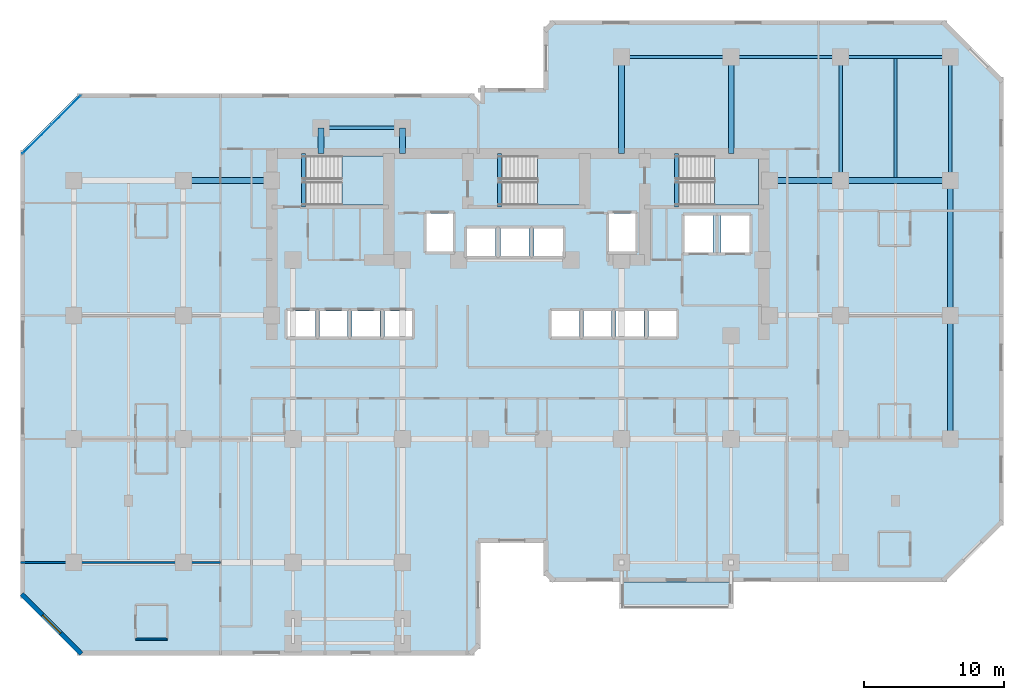
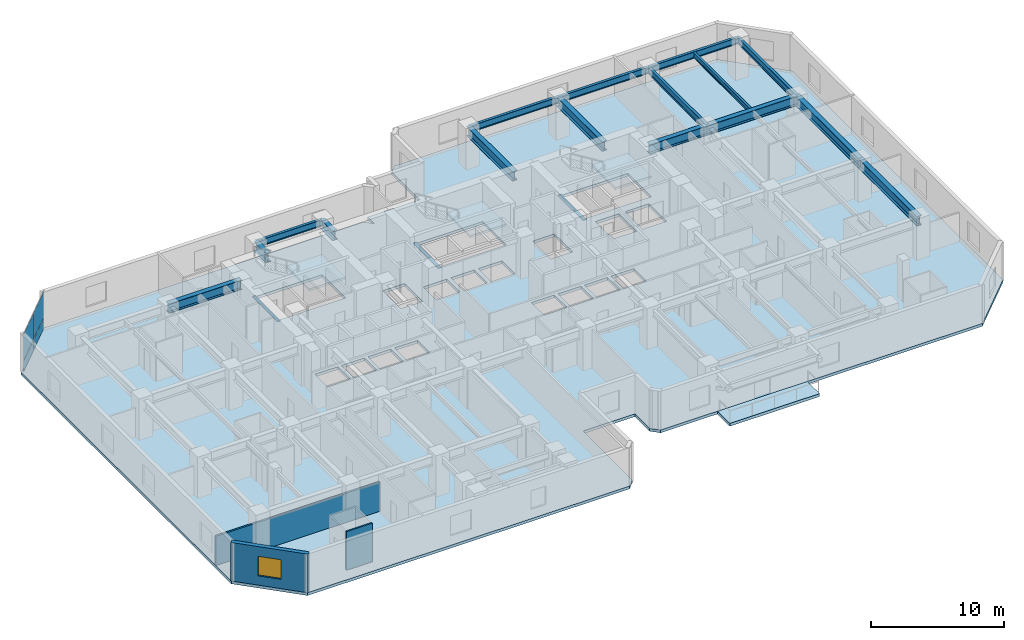
# One storey, part 4 of 12: 19 beams, 5 slabs, 4 plates, 3 walls, 1 window, 1 opening, 4 elements without a shape of their own.
"""IFC4 building model written with IfcOpenShell, lengths in metres."""

import ifcopenshell
import ifcopenshell.guid

model = None  # the IFC model being written
_history = None  # IfcOwnerHistory: only IFC2X3 demands one
_inside = {}  # id of a spatial element -> (the spatial element, [elements in it])
_under = {}  # id of a project, library or spatial element -> (it, [spatial elements below it])
_declared = {}  # id of a project -> (the project, [libraries it declares])
_typed = {}  # id of a type object -> (the type object, [elements of that type])
_made_of = {}  # id of a material, layer set ... -> (it, [elements and type objects made of it])


def new_model(schema):
    """Start an empty IFC model of exactly this schema.

    Asked for "IFC4X3", IfcOpenShell would pick the latest addendum, in which some entities
    have other attributes; the version numbers below select the first issue.
    IFC2X3 requires an IfcOwnerHistory on every rooted entity: one is made here for all.
    """
    global model, _history
    if schema == "IFC4X3":
        model = ifcopenshell.file(schema_version=(4, 3, 0, 0))
    else:
        model = ifcopenshell.file(schema=schema)
    _inside.clear()
    _under.clear()
    _declared.clear()
    _typed.clear()
    _made_of.clear()
    _history = None
    if model.schema == "IFC2X3":
        org = make("IfcOrganization", Name="unknown")
        user = make(
            "IfcPersonAndOrganization",
            ThePerson=make("IfcPerson", FamilyName="unknown"),
            TheOrganization=org,
        )
        app = make(
            "IfcApplication",
            ApplicationDeveloper=org,
            Version="unknown",
            ApplicationFullName="unknown",
            ApplicationIdentifier="unknown",
        )
        _history = make(
            "IfcOwnerHistory",
            OwningUser=user,
            OwningApplication=app,
            ChangeAction="ADDED",
            CreationDate=0,
        )
    return model


def make(cls, **values):
    """One entity of the class cls with the attributes given. An attribute that is None is left unset."""
    return model.create_entity(
        cls, **{name: value for name, value in values.items() if value is not None}
    )


def rooted(cls, **values):
    """An entity with a GlobalId (a new one), such as an element, a storey or a relation."""
    return make(cls, GlobalId=ifcopenshell.guid.new(), OwnerHistory=_history, **values)


def si_unit(unit_type, name, prefix=None):
    """IfcSIUnit, for example si_unit("LENGTHUNIT", "METRE", prefix="MILLI")."""
    return make("IfcSIUnit", UnitType=unit_type, Prefix=prefix, Name=name)


def assignment(units):
    """IfcUnitAssignment: the units of a project."""
    return None if units is None else make("IfcUnitAssignment", Units=units)


def point(xyz):
    """IfcCartesianPoint."""
    return None if xyz is None else make("IfcCartesianPoint", Coordinates=xyz)


def direction(xyz):
    """IfcDirection."""
    return None if xyz is None else make("IfcDirection", DirectionRatios=xyz)


def frame(location, z_axis=None, x_axis=None):
    """IfcAxis2Placement3D, a coordinate frame: its origin and axes. An axis left out is left unset."""
    return make(
        "IfcAxis2Placement3D",
        Location=point(location),
        Axis=direction(z_axis),
        RefDirection=direction(x_axis),
    )


def frame_2d(location, x_axis=None):
    """IfcAxis2Placement2D, a coordinate frame in the plane: its origin and x axis."""
    return make(
        "IfcAxis2Placement2D", Location=point(location), RefDirection=direction(x_axis)
    )


def origin():
    """The frame at (0, 0, 0) with its axes left unset."""
    return frame((0.0, 0.0, 0.0))


def origin_2d():
    """The frame at (0, 0) in the plane with its x axis left unset."""
    return frame_2d((0.0, 0.0))


def place(relative_to, where):
    """IfcLocalPlacement: puts the frame where relative to a parent placement (None: the world)."""
    return make(
        "IfcLocalPlacement", PlacementRelTo=relative_to, RelativePlacement=where
    )


def context(
    kind, dimensions, precision=None, world=None, true_north=None, identifier=None
):
    """IfcGeometricRepresentationContext, for example the 3D "Model" context."""
    return make(
        "IfcGeometricRepresentationContext",
        ContextIdentifier=identifier,
        ContextType=kind,
        CoordinateSpaceDimension=dimensions,
        Precision=precision,
        WorldCoordinateSystem=world,
        TrueNorth=true_north,
    )


def subcontext(parent, identifier, kind, view, scale=None):
    """IfcGeometricRepresentationSubContext, for example "Body" below "Model"."""
    return make(
        "IfcGeometricRepresentationSubContext",
        ContextIdentifier=identifier,
        ContextType=kind,
        ParentContext=parent,
        TargetScale=scale,
        TargetView=view,
    )


def project(units=None, contexts=None):
    """IfcProject with its units and contexts."""
    return rooted(
        "IfcProject",
        Name="project",
        RepresentationContexts=contexts,
        UnitsInContext=assignment(units),
    )


def spatial(cls, under=None, at=None, **own):
    """A site, building, storey or space (cls), placed at a placement, below another one or the project."""
    s = rooted(cls, ObjectPlacement=at, **own)
    if under is not None:
        _under.setdefault(under.id(), (under, []))[1].append(s)
    return s


def polyline(points):
    """IfcPolyline through the points."""
    return make("IfcPolyline", Points=[point(p) for p in points])


def profile(cls, at=None, kind="AREA", **sizes):
    """A parametric profile (cls). Its sizes go by their IFC names, for example OverallWidth=200.0."""
    return make(cls, ProfileType=kind, Position=at, **sizes)


def rectangle(**sizes):
    """IfcRectangleProfileDef."""
    return profile("IfcRectangleProfileDef", **sizes)


def i_section(**sizes):
    """IfcIShapeProfileDef."""
    return profile("IfcIShapeProfileDef", **sizes)


def outline(outer, holes=None, kind="AREA"):
    """IfcArbitraryClosedProfileDef: a profile drawn as a closed curve; with holes, ...WithVoids."""
    if holes is None:
        return make("IfcArbitraryClosedProfileDef", ProfileType=kind, OuterCurve=outer)
    return make(
        "IfcArbitraryProfileDefWithVoids",
        ProfileType=kind,
        OuterCurve=outer,
        InnerCurves=holes,
    )


def extrude(swept, where, along, depth):
    """IfcExtrudedAreaSolid: the profile swept, set in the frame where, extruded along a direction by depth."""
    return make(
        "IfcExtrudedAreaSolid",
        SweptArea=swept,
        Position=where,
        ExtrudedDirection=direction(along),
        Depth=depth,
    )


def shape(context_of_items, identifier, shape_type, items):
    """IfcShapeRepresentation: the items that make up one representation, for example the "Body"."""
    return make(
        "IfcShapeRepresentation",
        ContextOfItems=context_of_items,
        RepresentationIdentifier=identifier,
        RepresentationType=shape_type,
        Items=items,
    )


def material(Name=None, Category=None):
    """IfcMaterial."""
    return make("IfcMaterial", Name=Name, Category=Category)


def layer(
    of_material, thickness, ventilated=None, Name=None, Category=None, Priority=None
):
    """IfcMaterialLayer: one layer of a wall or slab, of a material (None: an air gap)."""
    return make(
        "IfcMaterialLayer",
        Material=of_material,
        LayerThickness=thickness,
        IsVentilated=ventilated,
        Name=Name,
        Category=Category,
        Priority=Priority,
    )


def layer_set(layers, Name=None):
    """IfcMaterialLayerSet."""
    return make("IfcMaterialLayerSet", MaterialLayers=layers, LayerSetName=Name)


def material_profile(
    of_material, cross_section, Name=None, Category=None, Priority=None
):
    """IfcMaterialProfile: a cross section and its material."""
    return make(
        "IfcMaterialProfile",
        Name=Name,
        Material=of_material,
        Profile=cross_section,
        Priority=Priority,
        Category=Category,
    )


def profile_set(profiles, Name=None, composite=None):
    """IfcMaterialProfileSet."""
    return make(
        "IfcMaterialProfileSet",
        Name=Name,
        MaterialProfiles=profiles,
        CompositeProfile=composite,
    )


def made_of(thing, what):
    """Note that an element or type object is made of a material, layer set ...; save() writes the relation."""
    if what is not None:
        _made_of.setdefault(what.id(), (what, []))[1].append(thing)
    return thing


def type_object(cls, material=None, **own):
    """A type object (cls), such as IfcWallType, which elements share."""
    return made_of(rooted(cls, **own), material)


def element(
    cls,
    number,
    at=None,
    inside=None,
    cuts=None,
    type_object=None,
    material=None,
    context=None,
    identifier="Body",
    shape_type=None,
    held_by="IfcProductDefinitionShape",
    body=None,
    shapes=None,
    **own,
):
    """One element of the class cls, such as IfcWall. Its Tag is "e" and its number.

    at: its placement. inside: the storey or other place that contains it. cuts: it is an
    opening in that element (IfcRelVoidsElement). A single representation is given by context,
    identifier, shape_type and body (its items); several are given by shapes. held_by: the class
    of the entity that holds the representations. save() writes the other relations.
    """
    e = rooted(cls, Tag="e%d" % number, ObjectPlacement=at, **own)
    if body is not None:
        shapes = [shape(context, identifier, shape_type, body)]
    if shapes is not None:
        e.Representation = make(held_by, Representations=shapes)
    if inside is not None:
        _inside.setdefault(inside.id(), (inside, []))[1].append(e)
    if cuts is not None:
        rooted(
            "IfcRelVoidsElement", RelatingBuildingElement=cuts, RelatedOpeningElement=e
        )
    if type_object is not None:
        _typed.setdefault(type_object.id(), (type_object, []))[1].append(e)
    return made_of(e, material)


def fill(opening, filler):
    """IfcRelFillsElement: the door or window that sits in an opening."""
    return rooted(
        "IfcRelFillsElement",
        RelatingOpeningElement=opening,
        RelatedBuildingElement=filler,
    )


def aggregate(whole, parts):
    """IfcRelAggregates: a whole, such as a stair, and the parts it consists of."""
    return rooted("IfcRelAggregates", RelatingObject=whole, RelatedObjects=parts)


def save(model, path):
    """Write the relations noted so far, then the file.

    IfcRelAggregates (storeys below a building ...), IfcRelContainedInSpatialStructure (elements
    in a storey), IfcRelDefinesByType, IfcRelAssociatesMaterial and IfcRelDeclares: one each for
    every whole, place, type object, material and project.
    """
    for whole, parts in _under.values():
        aggregate(whole, parts)
    for where, things in _inside.values():
        rooted(
            "IfcRelContainedInSpatialStructure",
            RelatedElements=things,
            RelatingStructure=where,
        )
    for kind, things in _typed.values():
        rooted("IfcRelDefinesByType", RelatedObjects=things, RelatingType=kind)
    for what, things in _made_of.values():
        rooted("IfcRelAssociatesMaterial", RelatedObjects=things, RelatingMaterial=what)
    for by, libraries in _declared.values():
        rooted("IfcRelDeclares", RelatingContext=by, RelatedDefinitions=libraries)
    model.write(path)


model = new_model("IFC4")

# Units and contexts
model_context = context("Model", 3, precision=1e-05, world=origin(), true_north=direction((0.0, 1.0)))
body_context = subcontext(model_context, "Body", "Model", "MODEL_VIEW")
ifc_project = project(units=[si_unit("LENGTHUNIT", "METRE"), si_unit("AREAUNIT", "SQUARE_METRE"), si_unit("VOLUMEUNIT", "CUBIC_METRE"), si_unit("PLANEANGLEUNIT", "RADIAN"), si_unit("MASSUNIT", "GRAM", prefix="KILO")], contexts=[model_context])

# Site, building, storey
site_placement = place(None, origin())
site = spatial("IfcSite", under=ifc_project, at=site_placement, CompositionType="ELEMENT")
building_placement = place(site_placement, origin())
building = spatial("IfcBuilding", under=site, at=building_placement, Name="Kestravale Grand Hotel", CompositionType="ELEMENT")
storey_placement = place(building_placement, frame((0.0, 0.0, 122.199951171875)))
storey = spatial("IfcBuildingStorey", under=building, at=storey_placement, Name="L30", CompositionType="ELEMENT", Elevation=122.199951171875)

# Beams
ifc_material_1 = material(Name="Steel ASTM A992 Grade 50", Category="steel")
ifc_material_profile_1 = material_profile(ifc_material_1, i_section(OverallWidth=0.19091796875, OverallDepth=0.45703125, WebThickness=0.009033203125, FlangeThickness=0.014404296875, FilletRadius=0.015380859375, at=origin_2d()))
ifc_profile_set_1 = profile_set([ifc_material_profile_1], Name="Steel ASTM A992 Grade 50")
beam_type_1 = type_object("IfcBeamType", Name="B-FLR-JST18", PredefinedType="JOIST", material=ifc_profile_set_1)
beam_1_placement = place(storey_placement, frame((66.300048828125, 38.6005859375, 3.3115234375), z_axis=(0.0, 1.0, 0.0), x_axis=(-1.0, 0.0, 0.0)))
element("IfcBeam", 1, at=beam_1_placement, inside=storey, type_object=beam_type_1, Name="L30 floor joist 10-11/F-G #1", PredefinedType="JOIST", context=body_context, shape_type="SweptSolid", body=[
    extrude(i_section(OverallWidth=0.19091796875, OverallDepth=0.45703125, WebThickness=0.009033203125, FlangeThickness=0.014404296875, FilletRadius=0.015380859375, at=origin_2d()), origin(), (0.0, 0.0, 1.0), 8.48486328125),
])
ifc_material_2 = material(Name="Concrete f'c 45 MPa", Category="concrete")
ifc_material_profile_2 = material_profile(ifc_material_2, rectangle(XDim=0.300048828125, YDim=0.39990234375, at=origin_2d()))
ifc_profile_set_2 = profile_set([ifc_material_profile_2], Name="Concrete f'c 45 MPa")
beam_type_2 = type_object("IfcBeamType", Name="B-FLR-LNT400", PredefinedType="LINTEL", material=ifc_profile_set_2)
for number, where, z_axis, x_axis, name in (
    (2, (24.159912109375, 36.52001953125, -0.199951171875), (0.0, 1.0, 0.0), (-1.0, 0.0, 0.0), "L30 ST1 flight bottom header beam"),
    (3, (38.110107421875, 36.52001953125, -0.199951171875), (0.0, 1.0, 0.0), (-1.0, 0.0, 0.0), "L30 ST2 flight bottom header beam"),
    (4, (50.7099609375, 36.52001953125, -0.199951171875), (0.0, 1.0, 0.0), (-1.0, 0.0, 0.0), "L30 ST3 flight bottom header beam"),
):
    element("IfcBeam", number, at=place(storey_placement, frame(where, z_axis=z_axis, x_axis=x_axis)), inside=storey, type_object=beam_type_2, Name=name, PredefinedType="LINTEL", context=body_context, shape_type="SweptSolid", body=[
        extrude(rectangle(XDim=0.300048828125, YDim=0.39990234375, at=origin_2d()), origin(), (0.0, 0.0, 1.0), 3.800048828125),
    ])
ifc_material_3 = material(Name="Steel ASTM A992 Grade 50", Category="steel")
ifc_material_profile_3 = material_profile(ifc_material_3, i_section(OverallWidth=0.22900390625, OverallDepth=0.612060546875, WebThickness=0.011962890625, FlangeThickness=0.01953125, FilletRadius=0.019287109375, at=origin_2d()))
ifc_profile_set_3 = profile_set([ifc_material_profile_3], Name="Steel ASTM A992 Grade 50")
beam_type_3 = type_object("IfcBeamType", Name="B-FLR-W24B", PredefinedType="SPANDREL", material=ifc_profile_set_3)
beam_2_placement = place(storey_placement, frame((46.800048828125, 47.199951171875, 3.234130859375), z_axis=(1.0, 0.0, 0.0), x_axis=(0.0, 1.0, 0.0)))
element("IfcBeam", 5, at=beam_2_placement, inside=storey, type_object=beam_type_3, Name="L30 spandrel G:8-9", PredefinedType="SPANDREL", context=body_context, shape_type="SweptSolid", body=[
    extrude(i_section(OverallWidth=0.22900390625, OverallDepth=0.612060546875, WebThickness=0.011962890625, FlangeThickness=0.01953125, FilletRadius=0.019287109375, at=origin_2d()), origin(), (0.0, 0.0, 1.0), 7.800048828125),
])
beam_3_placement = place(storey_placement, frame((54.60009765625, 47.199951171875, 3.234130859375), z_axis=(1.0, 0.0, 0.0), x_axis=(0.0, 1.0, 0.0)))
element("IfcBeam", 6, at=beam_3_placement, inside=storey, type_object=beam_type_3, Name="L30 spandrel G:9-10", PredefinedType="SPANDREL", context=body_context, shape_type="SweptSolid", body=[
    extrude(i_section(OverallWidth=0.22900390625, OverallDepth=0.612060546875, WebThickness=0.011962890625, FlangeThickness=0.01953125, FilletRadius=0.019287109375, at=origin_2d()), origin(), (0.0, 0.0, 1.0), 7.7998046875),
])
beam_4_placement = place(storey_placement, frame((62.39990234375, 47.199951171875, 3.234130859375), z_axis=(1.0, 0.0, 0.0), x_axis=(0.0, 1.0, 0.0)))
element("IfcBeam", 7, at=beam_4_placement, inside=storey, type_object=beam_type_3, Name="L30 spandrel G:10-11", PredefinedType="SPANDREL", context=body_context, shape_type="SweptSolid", body=[
    extrude(i_section(OverallWidth=0.22900390625, OverallDepth=0.612060546875, WebThickness=0.011962890625, FlangeThickness=0.01953125, FilletRadius=0.019287109375, at=origin_2d()), origin(), (0.0, 0.0, 1.0), 7.800048828125),
])
beam_5_placement = place(storey_placement, frame((25.39990234375, 42.14990234375, 3.234130859375), z_axis=(1.0, 0.0, 0.0), x_axis=(0.0, 1.0, 0.0)))
element("IfcBeam", 8, at=beam_5_placement, inside=storey, type_object=beam_type_3, Name="L30 perimeter tie spandrel FN:4-5", PredefinedType="SPANDREL", context=body_context, shape_type="SweptSolid", body=[
    extrude(i_section(OverallWidth=0.22900390625, OverallDepth=0.612060546875, WebThickness=0.011962890625, FlangeThickness=0.01953125, FilletRadius=0.019287109375, at=origin_2d()), origin(), (0.0, 0.0, 1.0), 5.800048828125),
])
for number, where, z_axis, x_axis, name in (
    (9, (62.39990234375, 38.39990234375, 3.234130859375), (0.0, 1.0, 0.0), (-1.0, 0.0, 0.0), "L30 spandrel 10:F-G"),
    (10, (70.199951171875, 38.39990234375, 3.234130859375), (0.0, 1.0, 0.0), (-1.0, 0.0, 0.0), "L30 spandrel 11:F-G"),
):
    element("IfcBeam", number, at=place(storey_placement, frame(where, z_axis=z_axis, x_axis=x_axis)), inside=storey, type_object=beam_type_3, Name=name, PredefinedType="SPANDREL", context=body_context, shape_type="SweptSolid", body=[
        extrude(i_section(OverallWidth=0.22900390625, OverallDepth=0.612060546875, WebThickness=0.011962890625, FlangeThickness=0.01953125, FilletRadius=0.019287109375, at=origin_2d()), origin(), (0.0, 0.0, 1.0), 8.800048828125),
    ])
ifc_material_4 = material(Name="Steel ASTM A992 Grade 50", Category="steel")
ifc_material_profile_4 = material_profile(ifc_material_4, i_section(OverallWidth=0.40087890625, OverallDepth=0.861083984375, WebThickness=0.019775390625, FlangeThickness=0.032470703125, FilletRadius=0.0234375, at=origin_2d()))
ifc_profile_set_4 = profile_set([ifc_material_profile_4], Name="Steel ASTM A992 Grade 50")
beam_type_4 = type_object("IfcBeamType", Name="B-GRD-W33", PredefinedType="BEAM", material=ifc_profile_set_4)
beam_6_placement = place(storey_placement, frame((15.60009765625, 38.39990234375, 3.109619140625), z_axis=(1.0, 0.0, 0.0), x_axis=(0.0, 1.0, 0.0)))
element("IfcBeam", 11, at=beam_6_placement, inside=storey, type_object=beam_type_4, Name="L30 girder F:3-CW", PredefinedType="BEAM", context=body_context, shape_type="SweptSolid", body=[
    extrude(i_section(OverallWidth=0.40087890625, OverallDepth=0.861083984375, WebThickness=0.019775390625, FlangeThickness=0.032470703125, FilletRadius=0.0234375, at=origin_2d()), origin(), (0.0, 0.0, 1.0), 6.2998046875),
])
beam_7_placement = place(storey_placement, frame((57.35009765625, 38.39990234375, 3.109619140625), z_axis=(1.0, 0.0, 0.0), x_axis=(0.0, 1.0, 0.0)))
element("IfcBeam", 12, at=beam_7_placement, inside=storey, type_object=beam_type_4, Name="L30 girder F:CE-10", PredefinedType="BEAM", context=body_context, shape_type="SweptSolid", body=[
    extrude(i_section(OverallWidth=0.40087890625, OverallDepth=0.861083984375, WebThickness=0.019775390625, FlangeThickness=0.032470703125, FilletRadius=0.0234375, at=origin_2d()), origin(), (0.0, 0.0, 1.0), 5.0498046875),
])
beam_8_placement = place(storey_placement, frame((62.39990234375, 38.39990234375, 3.109619140625), z_axis=(1.0, 0.0, 0.0), x_axis=(0.0, 1.0, 0.0)))
element("IfcBeam", 13, at=beam_8_placement, inside=storey, type_object=beam_type_4, Name="L30 girder F:10-11", PredefinedType="BEAM", context=body_context, shape_type="SweptSolid", body=[
    extrude(i_section(OverallWidth=0.40087890625, OverallDepth=0.861083984375, WebThickness=0.019775390625, FlangeThickness=0.032470703125, FilletRadius=0.0234375, at=origin_2d()), origin(), (0.0, 0.0, 1.0), 7.800048828125),
])
beam_9_placement = place(storey_placement, frame((70.199951171875, 20.0, 3.109619140625), z_axis=(0.0, 1.0, 0.0), x_axis=(-1.0, 0.0, 0.0)))
element("IfcBeam", 14, at=beam_9_placement, inside=storey, type_object=beam_type_4, Name="L30 girder 11:D-E", PredefinedType="BEAM", context=body_context, shape_type="SweptSolid", body=[
    extrude(i_section(OverallWidth=0.40087890625, OverallDepth=0.861083984375, WebThickness=0.019775390625, FlangeThickness=0.032470703125, FilletRadius=0.0234375, at=origin_2d()), origin(), (0.0, 0.0, 1.0), 8.800048828125),
])
beam_10_placement = place(storey_placement, frame((70.199951171875, 28.800048828125, 3.109619140625), z_axis=(0.0, 1.0, 0.0), x_axis=(-1.0, 0.0, 0.0)))
element("IfcBeam", 15, at=beam_10_placement, inside=storey, type_object=beam_type_4, Name="L30 girder 11:E-F", PredefinedType="BEAM", context=body_context, shape_type="SweptSolid", body=[
    extrude(i_section(OverallWidth=0.40087890625, OverallDepth=0.861083984375, WebThickness=0.019775390625, FlangeThickness=0.032470703125, FilletRadius=0.0234375, at=origin_2d()), origin(), (0.0, 0.0, 1.0), 9.599853515625),
])
for number, where, z_axis, x_axis, name in (
    (16, (25.39990234375, 40.320068359375, 3.109619140625), (0.0, 1.0, 0.0), (-1.0, 0.0, 0.0), "L30 north wing tie girder 4:CN-FN"),
    (17, (31.199951171875, 40.320068359375, 3.109619140625), (0.0, 1.0, 0.0), (-1.0, 0.0, 0.0), "L30 north wing tie girder 5:CN-FN"),
):
    element("IfcBeam", number, at=place(storey_placement, frame(where, z_axis=z_axis, x_axis=x_axis)), inside=storey, type_object=beam_type_4, Name=name, PredefinedType="BEAM", context=body_context, shape_type="SweptSolid", body=[
        extrude(i_section(OverallWidth=0.40087890625, OverallDepth=0.861083984375, WebThickness=0.019775390625, FlangeThickness=0.032470703125, FilletRadius=0.0234375, at=origin_2d()), origin(), (0.0, 0.0, 1.0), 1.829833984375),
    ])
for number, where, z_axis, x_axis, name in (
    (18, (46.800048828125, 40.320068359375, 3.109619140625), (0.0, 1.0, 0.0), (-1.0, 0.0, 0.0), "L30 north wing tie girder 8:CN-G"),
    (19, (54.60009765625, 40.320068359375, 3.109619140625), (0.0, 1.0, 0.0), (-1.0, 0.0, 0.0), "L30 north wing tie girder 9:CN-G"),
):
    element("IfcBeam", number, at=place(storey_placement, frame(where, z_axis=z_axis, x_axis=x_axis)), inside=storey, type_object=beam_type_4, Name=name, PredefinedType="BEAM", context=body_context, shape_type="SweptSolid", body=[
        extrude(i_section(OverallWidth=0.40087890625, OverallDepth=0.861083984375, WebThickness=0.019775390625, FlangeThickness=0.032470703125, FilletRadius=0.0234375, at=origin_2d()), origin(), (0.0, 0.0, 1.0), 6.8798828125),
    ])

# Curtain wall, plates
ifc_material_5 = material(Name="Thermally broken champagne-bronze aluminium and low-E glazing", Category="aluminium")
ifc_layer_1 = layer(ifc_material_5, 0.199951171875)
ifc_layer_set_1 = layer_set([ifc_layer_1], Name="CW-Z2")
curtain_wall_type = type_object("IfcCurtainWallType", Name="CW-Z2", PredefinedType="NOTDEFINED", material=ifc_layer_set_1)
curtain_wall_placement = place(storey_placement, origin())
curtain_wall = element("IfcCurtainWall", 20, at=curtain_wall_placement, inside=storey, type_object=curtain_wall_type, Name="L30 unitised curtain wall 18", PredefinedType="NOTDEFINED")
ifc_material_6 = material(Name="Insulated clear low-E double glazing IGU", Category="glass")
ifc_layer_2 = layer(ifc_material_6, 0.031982421875)
ifc_layer_set_2 = layer_set([ifc_layer_2], Name="CW-PNL-32")
plate_type = type_object("IfcPlateType", Name="CW-PNL-32", PredefinedType="CURTAIN_PANEL", material=ifc_layer_set_2)
plate_1_placement = place(storey_placement, frame((7.26416015625, 43.423583984375, 0.06494140625), z_axis=(0.0, 0.0, 1.0), x_axis=(-0.707106781187, -0.707106781187, 0.0)))
plate_1 = element("IfcPlate", 21, at=plate_1_placement, type_object=plate_type, Name="CW-Z2 panel 1.1", PredefinedType="CURTAIN_PANEL", context=body_context, shape_type="SweptSolid", body=[
    extrude(rectangle(XDim=2.87744140625, YDim=0.031982421875, at=origin_2d()), origin(), (0.0, 0.0, 1.0), 0.952392578125),
])
plate_2_placement = place(storey_placement, frame((7.26416015625, 43.423583984375, 1.08251953125), z_axis=(0.0, 0.0, 1.0), x_axis=(-0.707106781187, -0.707106781187, 0.0)))
plate_2 = element("IfcPlate", 22, at=plate_2_placement, type_object=plate_type, Name="CW-Z2 panel 1.2", PredefinedType="CURTAIN_PANEL", context=body_context, shape_type="SweptSolid", body=[
    extrude(rectangle(XDim=2.87744140625, YDim=0.031982421875, at=origin_2d()), origin(), (0.0, 0.0, 1.0), 2.392578125),
])
plate_3_placement = place(storey_placement, frame((5.17626953125, 41.3359375, 0.06494140625), z_axis=(0.0, 0.0, 1.0), x_axis=(-0.707106781187, -0.707106781187, 0.0)))
plate_3 = element("IfcPlate", 23, at=plate_3_placement, type_object=plate_type, Name="CW-Z2 panel 2.1", PredefinedType="CURTAIN_PANEL", context=body_context, shape_type="SweptSolid", body=[
    extrude(rectangle(XDim=2.87744140625, YDim=0.031982421875, at=origin_2d()), origin(), (0.0, 0.0, 1.0), 0.952392578125),
])
plate_4_placement = place(storey_placement, frame((5.17626953125, 41.3359375, 1.08251953125), z_axis=(0.0, 0.0, 1.0), x_axis=(-0.707106781187, -0.707106781187, 0.0)))
plate_4 = element("IfcPlate", 24, at=plate_4_placement, type_object=plate_type, Name="CW-Z2 panel 2.2", PredefinedType="CURTAIN_PANEL", context=body_context, shape_type="SweptSolid", body=[
    extrude(rectangle(XDim=2.87744140625, YDim=0.031982421875, at=origin_2d()), origin(), (0.0, 0.0, 1.0), 2.392578125),
])
aggregate(curtain_wall, [plate_1, plate_2, plate_3, plate_4])

# Slab
ifc_material_7 = material(Name="Concrete f'c 45 MPa", Category="concrete")
ifc_layer_3 = layer(ifc_material_7, 0.27001953125)
ifc_layer_set_3 = layer_set([ifc_layer_3], Name="ES-TERR-270")
slab_type_1 = type_object("IfcSlabType", Name="ES-TERR-270", PredefinedType="FLOOR", material=ifc_layer_set_3)
slab_1_placement = place(storey_placement, frame((0.0, 0.0, -0.27001953125)))
element("IfcSlab", 25, at=slab_1_placement, inside=storey, type_object=slab_type_1, Name="L30 spiralling planted garden terrace", PredefinedType="FLOOR", context=body_context, shape_type="SweptSolid", body=[
    extrude(outline(polyline([(46.800048828125, 7.949951171875), (54.60009765625, 7.949951171875), (54.60009765625, 9.800048828125), (46.800048828125, 9.800048828125), (46.800048828125, 7.949951171875)])), origin(), (0.0, 0.0, 1.0), 0.27001953125),
])

# Stair, slab
ifc_material_8 = material(Name="Concrete f'c 45 MPa", Category="concrete")
stair_type = type_object("IfcStairType", Name="ST-CORE-380", PredefinedType="HALF_TURN_STAIR", material=ifc_material_8)
stair_1_placement = place(storey_placement, origin())
stair_1 = element("IfcStair", 26, at=stair_1_placement, inside=storey, type_object=stair_type, Name="L30 ST-1", PredefinedType="HALF_TURN_STAIR")
ifc_material_9 = material(Name="Concrete f'c 45 MPa", Category="concrete")
ifc_layer_4 = layer(ifc_material_9, 0.199951171875)
ifc_layer_set_4 = layer_set([ifc_layer_4], Name="SLB-ST-LND200")
slab_type_2 = type_object("IfcSlabType", Name="SLB-ST-LND200", PredefinedType="LANDING", material=ifc_layer_set_4)
slab_2_placement = place(storey_placement, frame((0.0, 0.0, 1.699951171875)))
slab_2 = element("IfcSlab", 27, at=slab_2_placement, type_object=slab_type_2, Name="ST-1 landing 1", PredefinedType="LANDING", context=body_context, shape_type="SweptSolid", body=[
    extrude(outline(polyline([(26.8798828125, 36.64990234375), (30.0, 36.64990234375), (30.0, 40.159912109375), (26.8798828125, 40.159912109375), (26.8798828125, 36.64990234375)])), origin(), (0.0, 0.0, 1.0), 0.2001953125),
])
aggregate(stair_1, [slab_2])

stair_2_placement = place(storey_placement, origin())
stair_2 = element("IfcStair", 28, at=stair_2_placement, inside=storey, type_object=stair_type, Name="L30 ST-2", PredefinedType="HALF_TURN_STAIR")
slab_3_placement = place(storey_placement, frame((0.0, 0.0, 1.699951171875)))
slab_3 = element("IfcSlab", 29, at=slab_3_placement, type_object=slab_type_2, Name="ST-2 landing 1", PredefinedType="LANDING", context=body_context, shape_type="SweptSolid", body=[
    extrude(outline(polyline([(40.830078125, 36.64990234375), (43.949951171875, 36.64990234375), (43.949951171875, 40.159912109375), (40.830078125, 40.159912109375), (40.830078125, 36.64990234375)])), origin(), (0.0, 0.0, 1.0), 0.2001953125),
])
aggregate(stair_2, [slab_3])

stair_3_placement = place(storey_placement, origin())
stair_3 = element("IfcStair", 30, at=stair_3_placement, inside=storey, type_object=stair_type, Name="L30 ST-3", PredefinedType="HALF_TURN_STAIR")
slab_4_placement = place(storey_placement, frame((0.0, 0.0, 1.699951171875)))
slab_4 = element("IfcSlab", 31, at=slab_4_placement, type_object=slab_type_2, Name="ST-3 landing 1", PredefinedType="LANDING", context=body_context, shape_type="SweptSolid", body=[
    extrude(outline(polyline([(53.429931640625, 36.64990234375), (56.550048828125, 36.64990234375), (56.550048828125, 40.159912109375), (53.429931640625, 40.159912109375), (53.429931640625, 36.64990234375)])), origin(), (0.0, 0.0, 1.0), 0.2001953125),
])
aggregate(stair_3, [slab_4])

# Slab
ifc_material_10 = material(Name="Concrete f'c 45 MPa", Category="concrete")
ifc_layer_5 = layer(ifc_material_10, 0.260009765625)
ifc_layer_set_5 = layer_set([ifc_layer_5], Name="SS-FLR-260")
slab_type_3 = type_object("IfcSlabType", Name="SS-FLR-260", PredefinedType="FLOOR", material=ifc_layer_set_5)
slab_5_placement = place(storey_placement, frame((0.0, 0.0, -0.260009765625)))
element("IfcSlab", 32, at=slab_5_placement, inside=storey, type_object=slab_type_3, Name="L30 structural floor slab", PredefinedType="FLOOR", context=body_context, shape_type="SweptSolid", body=[
    extrude(outline(polyline([(8.199951171875, 4.60009765625), (36.14990234375, 4.60009765625), (36.75, 5.199951171875), (36.75, 12.60009765625), (41.25, 12.60009765625), (41.25, 10.39990234375), (41.85009765625, 9.800048828125), (69.800048828125, 9.800048828125), (74.0, 14.0), (74.0, 45.60009765625), (69.800048828125, 49.800048828125), (41.85009765625, 49.800048828125), (41.25, 49.199951171875), (41.25, 45.0), (36.75, 45.0), (36.75, 44.0), (36.14990234375, 44.60009765625), (8.199951171875, 44.60009765625), (4.0, 40.39990234375), (4.0, 8.800048828125), (8.199951171875, 4.60009765625)]), holes=[polyline([(24.080078125, 36.64990234375), (30.0, 36.64990234375), (30.0, 40.159912109375), (24.080078125, 40.159912109375), (24.080078125, 36.64990234375)]), polyline([(38.030029296875, 36.64990234375), (43.949951171875, 36.64990234375), (43.949951171875, 40.159912109375), (38.030029296875, 40.159912109375), (38.030029296875, 36.64990234375)]), polyline([(50.6298828125, 36.64990234375), (56.550048828125, 36.64990234375), (56.550048828125, 40.159912109375), (50.6298828125, 40.159912109375), (50.6298828125, 36.64990234375)]), polyline([(23.0048828125, 27.280029296875), (24.9951171875, 27.280029296875), (24.9951171875, 29.1201171875), (23.0048828125, 29.1201171875), (23.0048828125, 27.280029296875)]), polyline([(25.304931640625, 27.280029296875), (27.294921875, 27.280029296875), (27.294921875, 29.1201171875), (25.304931640625, 29.1201171875), (25.304931640625, 27.280029296875)]), polyline([(27.60498046875, 27.280029296875), (29.594970703125, 27.280029296875), (29.594970703125, 29.1201171875), (27.60498046875, 29.1201171875), (27.60498046875, 27.280029296875)]), polyline([(29.905029296875, 27.280029296875), (31.89501953125, 27.280029296875), (31.89501953125, 29.1201171875), (29.905029296875, 29.1201171875), (29.905029296875, 27.280029296875)]), polyline([(41.804931640625, 27.280029296875), (43.794921875, 27.280029296875), (43.794921875, 29.1201171875), (41.804931640625, 29.1201171875), (41.804931640625, 27.280029296875)]), polyline([(44.10498046875, 27.280029296875), (46.094970703125, 27.280029296875), (46.094970703125, 29.1201171875), (44.10498046875, 29.1201171875), (44.10498046875, 27.280029296875)]), polyline([(46.405029296875, 27.280029296875), (48.39501953125, 27.280029296875), (48.39501953125, 29.1201171875), (46.405029296875, 29.1201171875), (46.405029296875, 27.280029296875)]), polyline([(48.705078125, 27.280029296875), (50.695068359375, 27.280029296875), (50.695068359375, 29.1201171875), (48.705078125, 29.1201171875), (48.705078125, 27.280029296875)]), polyline([(35.780029296875, 33.030029296875), (37.820068359375, 33.030029296875), (37.820068359375, 34.969970703125), (35.780029296875, 34.969970703125), (35.780029296875, 33.030029296875)]), polyline([(38.179931640625, 33.030029296875), (40.219970703125, 33.030029296875), (40.219970703125, 34.969970703125), (38.179931640625, 34.969970703125), (38.179931640625, 33.030029296875)]), polyline([(40.580078125, 33.030029296875), (42.6201171875, 33.030029296875), (42.6201171875, 34.969970703125), (40.580078125, 34.969970703125), (40.580078125, 33.030029296875)]), polyline([(32.905029296875, 33.35498046875), (34.794921875, 33.35498046875), (34.794921875, 36.044921875), (32.905029296875, 36.044921875), (32.905029296875, 33.35498046875)]), polyline([(45.905029296875, 33.35498046875), (47.794921875, 33.35498046875), (47.794921875, 36.044921875), (45.905029296875, 36.044921875), (45.905029296875, 33.35498046875)]), polyline([(51.280029296875, 33.280029296875), (53.320068359375, 33.280029296875), (53.320068359375, 35.919921875), (51.280029296875, 35.919921875), (51.280029296875, 33.280029296875)]), polyline([(53.8798828125, 33.280029296875), (55.919921875, 33.280029296875), (55.919921875, 35.919921875), (53.8798828125, 35.919921875), (53.8798828125, 33.280029296875)])]), origin(), (0.0, 0.0, 1.0), 0.260009765625),
])

# Wall, opening, window
ifc_material_11 = material(Name="Precast concrete f'c 45 MPa", Category="concrete")
ifc_layer_6 = layer(ifc_material_11, 0.340087890625)
ifc_layer_set_6 = layer_set([ifc_layer_6], Name="EW-PREC-340")
wall_type_1 = type_object("IfcWallType", Name="EW-PREC-340", PredefinedType="SOLIDWALL", material=ifc_layer_set_6)
wall_1_placement = place(storey_placement, frame((4.091796875, 8.948486328125, 0.0), z_axis=(0.0, 0.0, 1.0), x_axis=(0.707106781187, -0.707106781187, 0.0)))
wall_1 = element("IfcWall", 33, at=wall_1_placement, inside=storey, type_object=wall_type_1, Name="L30 fluted precast facade wall 20", PredefinedType="SOLIDWALL", context=body_context, shape_type="SweptSolid", body=[
    extrude(rectangle(XDim=6.019775390625, YDim=0.340087890625, at=frame_2d((3.009765625, 0.0))), origin(), (0.0, 0.0, 1.0), 3.5400390625),
])
opening_placement = place(wall_1_placement, frame((2.10986328125, 0.0, 0.85009765625)))
opening = element("IfcOpeningElement", 34, at=opening_placement, cuts=wall_1, Name="Opening W-GUEST-1800", PredefinedType="OPENING", context=body_context, shape_type="SweptSolid", body=[
    extrude(rectangle(XDim=1.800048828125, YDim=1.800048828125, at=frame_2d((0.89990234375, 0.89990234375))), frame((0.0, 0.179931640625, 0.0), z_axis=(0.0, -1.0, 0.0), x_axis=(1.0, 0.0, 0.0)), (0.0, 0.0, 1.0), 0.360107421875),
])
ifc_material_12 = material(Name="Insulated low-E double glazing in aluminium frame", Category="aluminium")
window_type = type_object("IfcWindowType", Name="W-GUEST-1800", PartitioningType="DOUBLE_PANEL_VERTICAL", PredefinedType="WINDOW", material=ifc_material_12)
window_placement = place(opening_placement, origin())
window = element("IfcWindow", 35, at=window_placement, inside=storey, type_object=window_type, Name="L30 exterior window 20.1", OverallHeight=1.800048828125, OverallWidth=1.800048828125, PartitioningType="SINGLE_PANEL", PredefinedType="WINDOW", context=body_context, shape_type="SweptSolid", body=[
    extrude(rectangle(XDim=1.800048828125, YDim=1.800048828125, at=frame_2d((0.89990234375, 0.89990234375))), frame((0.0, 0.030029296875, 0.0), z_axis=(0.0, -1.0, 0.0), x_axis=(1.0, 0.0, 0.0)), (0.0, 0.0, 1.0), 0.06005859375),
])
fill(opening, window)

# Walls
ifc_material_13 = material(Name="Moisture-resistant tile-backer plumbing chase wall", Category="other")
ifc_layer_7 = layer(ifc_material_13, 0.139892578125)
ifc_layer_set_7 = layer_set([ifc_layer_7], Name="IW-PLB-140")
wall_type_2 = type_object("IfcWallType", Name="IW-PLB-140", PredefinedType="PLUMBINGWALL", material=ifc_layer_set_7)
wall_2_placement = place(storey_placement, frame((12.199951171875, 5.75, 0.0), z_axis=(0.0, 0.0, 1.0), x_axis=(1.0, 0.0, 0.0)))
element("IfcWall", 36, at=wall_2_placement, inside=storey, type_object=wall_type_2, Name="W-L30-U06-BS", PredefinedType="PLUMBINGWALL", context=body_context, shape_type="SweptSolid", body=[
    extrude(rectangle(XDim=2.25, YDim=0.139892578125, at=frame_2d((1.125, 0.0))), origin(), (0.0, 0.0, 1.0), 3.5400390625),
])
ifc_material_14 = material(Name="Double-stud STC 52 acoustic demising partition", Category="other")
ifc_layer_8 = layer(ifc_material_14, 0.14990234375)
ifc_layer_set_8 = layer_set([ifc_layer_8], Name="IW-UNIT-150")
wall_type_3 = type_object("IfcWallType", Name="IW-UNIT-150", PredefinedType="PARTITIONING", material=ifc_layer_set_8)
wall_3_placement = place(storey_placement, frame((4.02001953125, 11.199951171875, 0.0), z_axis=(0.0, 0.0, 1.0), x_axis=(1.0, 0.0, 0.0)))
element("IfcWall", 37, at=wall_3_placement, inside=storey, type_object=wall_type_3, Name="W-L30-WW-1", PredefinedType="PARTITIONING", context=body_context, shape_type="SweptSolid", body=[
    extrude(rectangle(XDim=14.219970703125, YDim=0.14990234375, at=frame_2d((7.10986328125, 0.0))), origin(), (0.0, 0.0, 1.0), 2.678955078125),
])

save(model, "model.ifc")
